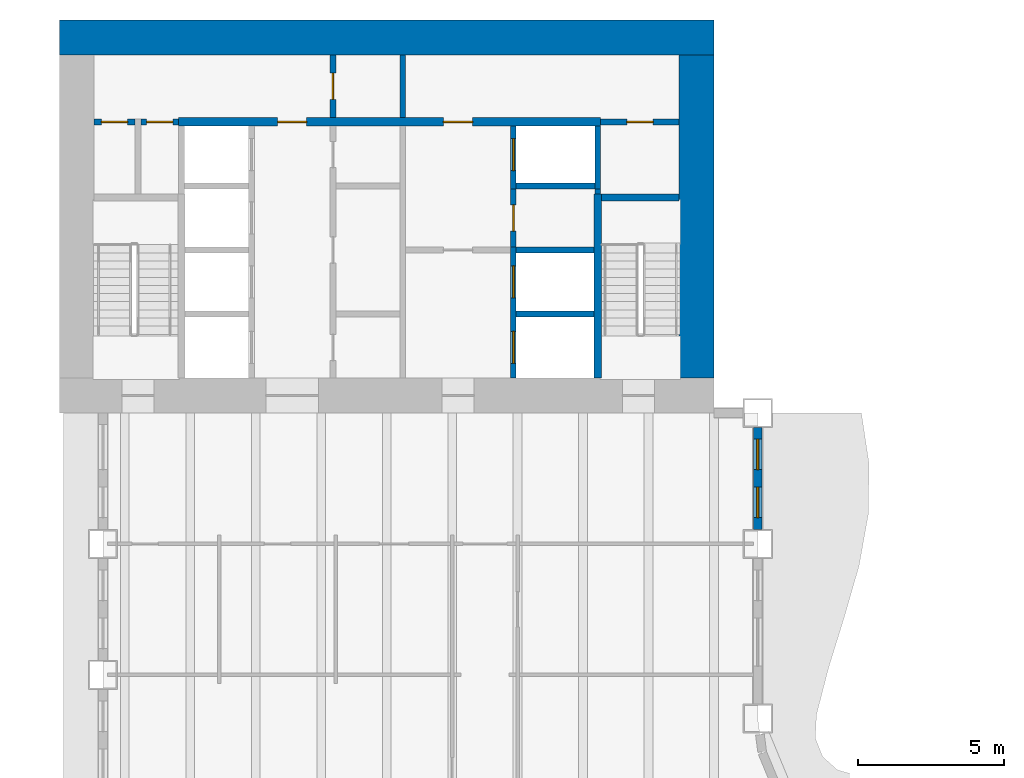
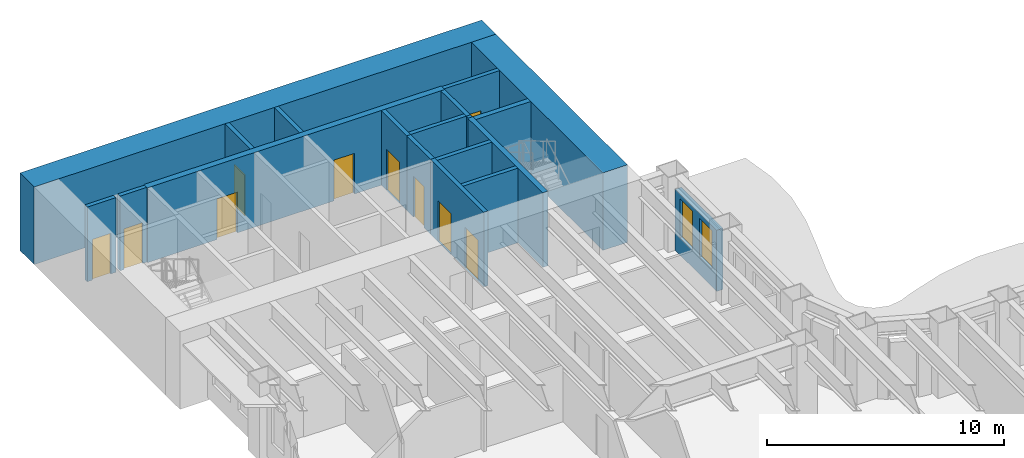
# One storey, part 9 of 16: 19 walls, 10 doors, 2 windows, 12 openings.
"""IFC4 building model written with IfcOpenShell, lengths in metres."""

from ifc_helpers import new_model, si_unit, direction, frame, frame_2d, origin, place, context, subcontext, project, spatial, rectangle, extrude, material, layer, layer_set, type_object, element, fill, save


model = new_model("IFC4")

# Units and contexts
model_context = context("Model", 3, precision=1e-05, world=origin(), true_north=direction((0.0, 1.0)))
body_context = subcontext(model_context, "Body", "Model", "MODEL_VIEW")
ifc_project = project(units=[si_unit("LENGTHUNIT", "METRE"), si_unit("AREAUNIT", "SQUARE_METRE"), si_unit("VOLUMEUNIT", "CUBIC_METRE"), si_unit("PLANEANGLEUNIT", "RADIAN"), si_unit("MASSUNIT", "GRAM", prefix="KILO")], contexts=[model_context])

# Site, building, storey
site_placement = place(None, origin())
site = spatial("IfcSite", under=ifc_project, at=site_placement, CompositionType="ELEMENT")
building_placement = place(site_placement, origin())
building = spatial("IfcBuilding", under=site, at=building_placement, Name="Sennacour Bend Tower", CompositionType="ELEMENT")
storey_placement = place(building_placement, frame((0.0, 0.0, 95.0)))
storey = spatial("IfcBuildingStorey", under=building, at=storey_placement, Name="L21", CompositionType="ELEMENT", Elevation=95.0)

# Walls
ifc_material_1 = material(Name="Concrete C80/95", Category="concrete")
ifc_layer_1 = layer(ifc_material_1, 1.199951171875, Name="Concrete C80/95", Category="concrete")
ifc_layer_set_1 = layer_set([ifc_layer_1], Name="Concrete C80/95")
wall_type_1 = type_object("IfcWallType", Name="Core wall 1200 C80/95", PredefinedType="SHEAR", material=ifc_layer_set_1)
wall_1_placement = place(storey_placement, frame((0.0, 48.89990234375, -0.14990234375), z_axis=(0.0, 0.0, 1.0), x_axis=(1.0, 0.0, 0.0)))
element("IfcWall", 1, at=wall_1_placement, inside=storey, type_object=wall_type_1, Name="Core B wall L21 N", PredefinedType="SHEAR", context=body_context, shape_type="SweptSolid", body=[
    extrude(rectangle(XDim=22.5, YDim=1.199951171875, at=frame_2d((11.25, 0.0))), origin(), (0.0, 0.0, 1.0), 4.0),
])
wall_2_placement = place(storey_placement, frame((21.89990234375, 37.199951171875, -0.14990234375), z_axis=(0.0, 0.0, 1.0), x_axis=(0.0, 1.0, 0.0)))
element("IfcWall", 2, at=wall_2_placement, inside=storey, type_object=wall_type_1, Name="Core B wall L21 E", PredefinedType="SHEAR", context=body_context, shape_type="SweptSolid", body=[
    extrude(rectangle(XDim=11.10009765625, YDim=1.199951171875, at=frame_2d((5.550048828125, 0.0))), origin(), (0.0, 0.0, 1.0), 4.0),
])

# Wall, opening, door
ifc_material_2 = material(Name="Fire-rated plasterboard partition on steel studs", Category="steel")
ifc_layer_2 = layer(ifc_material_2, 0.199951171875, Name="Fire-rated plasterboard partition on steel studs", Category="steel")
ifc_layer_set_2 = layer_set([ifc_layer_2], Name="Fire-rated plasterboard partition on steel studs")
wall_type_2 = type_object("IfcWallType", Name="Rated partition 200", PredefinedType="PARTITIONING", material=ifc_layer_set_2)
wall_3_placement = place(storey_placement, frame((9.39990234375, 46.14990234375, 0.0), z_axis=(0.0, 0.0, 1.0), x_axis=(0.0, 1.0, 0.0)))
wall_3 = element("IfcWall", 3, at=wall_3_placement, inside=storey, type_object=wall_type_2, Name="P-L21-W010b", PredefinedType="PARTITIONING", context=body_context, shape_type="SweptSolid", body=[
    extrude(rectangle(XDim=2.150146484375, YDim=0.199951171875, at=frame_2d((1.0751953125, 0.0))), origin(), (0.0, 0.0, 1.0), 3.85009765625),
])
opening_1_placement = place(wall_3_placement, frame((0.625, 0.0, 0.0)))
opening_1 = element("IfcOpeningElement", 4, at=opening_1_placement, cuts=wall_3, Name="Opening SV", PredefinedType="OPENING", context=body_context, shape_type="SweptSolid", body=[
    extrude(rectangle(XDim=0.89990234375, YDim=2.10009765625, at=frame_2d((0.449951171875, 1.050048828125))), frame((0.0, 0.10986328125, 0.0), z_axis=(0.0, -1.0, 0.0), x_axis=(1.0, 0.0, 0.0)), (0.0, 0.0, 1.0), 0.219970703125),
])
ifc_material_3 = material(Name="Painted steel", Category="steel")
door_type_1 = type_object("IfcDoorType", Name="DR-SERVICE-900", OperationType="NOTDEFINED", PredefinedType="DOOR", material=ifc_material_3)
door_1_placement = place(opening_1_placement, origin())
door_1 = element("IfcDoor", 5, at=door_1_placement, inside=storey, type_object=door_type_1, Name="Door", OperationType="SINGLE_SWING_LEFT", OverallHeight=2.10009765625, OverallWidth=0.89990234375, PredefinedType="DOOR", context=body_context, shape_type="SweptSolid", body=[
    extrude(rectangle(XDim=0.89990234375, YDim=2.10009765625, at=frame_2d((0.449951171875, 1.050048828125))), frame((0.0, 0.02490234375, 0.0), z_axis=(0.0, -1.0, 0.0), x_axis=(1.0, 0.0, 0.0)), (0.0, 0.0, 1.0), 0.050048828125),
])
fill(opening_1, door_1)

# Wall
wall_4_placement = place(storey_placement, frame((11.800048828125, 46.14990234375, 0.0), z_axis=(0.0, 0.0, 1.0), x_axis=(0.0, 1.0, 0.0)))
element("IfcWall", 6, at=wall_4_placement, inside=storey, type_object=wall_type_2, Name="P-L21-W013b", PredefinedType="PARTITIONING", context=body_context, shape_type="SweptSolid", body=[
    extrude(rectangle(XDim=2.150146484375, YDim=0.199951171875, at=frame_2d((1.0751953125, 0.0))), origin(), (0.0, 0.0, 1.0), 3.85009765625),
])

# Wall, opening, door
wall_5_placement = place(storey_placement, frame((15.60009765625, 41.699951171875, 0.0), z_axis=(0.0, 0.0, 1.0), x_axis=(0.0, 1.0, 0.0)))
wall_5 = element("IfcWall", 7, at=wall_5_placement, inside=storey, type_object=wall_type_2, Name="P-L21-W016", PredefinedType="PARTITIONING", context=body_context, shape_type="SweptSolid", body=[
    extrude(rectangle(XDim=2.0, YDim=0.199951171875, at=frame_2d((1.0, 0.0))), origin(), (0.0, 0.0, 1.0), 3.85009765625),
])
opening_2_placement = place(wall_5_placement, frame((0.550048828125, 0.0, 0.0)))
opening_2 = element("IfcOpeningElement", 8, at=opening_2_placement, cuts=wall_5, Name="Opening SV", PredefinedType="OPENING", context=body_context, shape_type="SweptSolid", body=[
    extrude(rectangle(XDim=0.89990234375, YDim=2.10009765625, at=frame_2d((0.449951171875, 1.050048828125))), frame((0.0, 0.10986328125, 0.0), z_axis=(0.0, -1.0, 0.0), x_axis=(1.0, 0.0, 0.0)), (0.0, 0.0, 1.0), 0.219970703125),
])
door_2_placement = place(opening_2_placement, origin())
door_2 = element("IfcDoor", 9, at=door_2_placement, inside=storey, type_object=door_type_1, Name="Door", OperationType="SINGLE_SWING_RIGHT", OverallHeight=2.10009765625, OverallWidth=0.89990234375, PredefinedType="DOOR", context=body_context, shape_type="SweptSolid", body=[
    extrude(rectangle(XDim=0.89990234375, YDim=2.10009765625, at=frame_2d((0.449951171875, 1.050048828125))), frame((0.0, 0.02490234375, 0.0), z_axis=(0.0, -1.0, 0.0), x_axis=(1.0, 0.0, 0.0)), (0.0, 0.0, 1.0), 0.050048828125),
])
fill(opening_2, door_2)

# Wall
wall_6_placement = place(storey_placement, frame((18.5, 43.52490234375, 0.0), z_axis=(0.0, 0.0, 1.0), x_axis=(0.0, 1.0, 0.0)))
element("IfcWall", 10, at=wall_6_placement, inside=storey, type_object=wall_type_2, Name="P-L21-W021", PredefinedType="PARTITIONING", context=body_context, shape_type="SweptSolid", body=[
    extrude(rectangle(XDim=0.175048828125, YDim=0.199951171875, at=frame_2d((0.08740234375, 0.0))), origin(), (0.0, 0.0, 1.0), 3.85009765625),
])

# Wall, opening, door
wall_7_placement = place(storey_placement, frame((1.199951171875, 46.0, 0.0), z_axis=(0.0, 0.0, 1.0), x_axis=(1.0, 0.0, 0.0)))
wall_7 = element("IfcWall", 11, at=wall_7_placement, inside=storey, type_object=wall_type_2, Name="P-L21-W089a", PredefinedType="PARTITIONING", context=body_context, shape_type="SweptSolid", body=[
    extrude(rectangle(XDim=1.400146484375, YDim=0.199951171875, at=frame_2d((0.7001953125, 0.0))), origin(), (0.0, 0.0, 1.0), 3.85009765625),
])
opening_3_placement = place(wall_7_placement, frame((0.25, 0.0, 0.0)))
opening_3 = element("IfcOpeningElement", 12, at=opening_3_placement, cuts=wall_7, Name="Opening SV", PredefinedType="OPENING", context=body_context, shape_type="SweptSolid", body=[
    extrude(rectangle(XDim=0.89990234375, YDim=2.10009765625, at=frame_2d((0.449951171875, 1.050048828125))), frame((0.0, 0.10986328125, 0.0), z_axis=(0.0, -1.0, 0.0), x_axis=(1.0, 0.0, 0.0)), (0.0, 0.0, 1.0), 0.219970703125),
])
door_3_placement = place(opening_3_placement, origin())
door_3 = element("IfcDoor", 13, at=door_3_placement, inside=storey, type_object=door_type_1, Name="Door", OperationType="SINGLE_SWING_LEFT", OverallHeight=2.10009765625, OverallWidth=0.89990234375, PredefinedType="DOOR", context=body_context, shape_type="SweptSolid", body=[
    extrude(rectangle(XDim=0.89990234375, YDim=2.10009765625, at=frame_2d((0.449951171875, 1.050048828125))), frame((0.0, 0.02490234375, 0.0), z_axis=(0.0, -1.0, 0.0), x_axis=(1.0, 0.0, 0.0)), (0.0, 0.0, 1.0), 0.050048828125),
])
fill(opening_3, door_3)

wall_8_placement = place(storey_placement, frame((2.800048828125, 46.0, 0.0), z_axis=(0.0, 0.0, 1.0), x_axis=(1.0, 0.0, 0.0)))
wall_8 = element("IfcWall", 14, at=wall_8_placement, inside=storey, type_object=wall_type_2, Name="P-L21-W089b", PredefinedType="PARTITIONING", context=body_context, shape_type="SweptSolid", body=[
    extrude(rectangle(XDim=1.300048828125, YDim=0.199951171875, at=frame_2d((0.64990234375, 0.0))), origin(), (0.0, 0.0, 1.0), 3.85009765625),
])
opening_4_placement = place(wall_8_placement, frame((0.199951171875, 0.0, 0.0)))
opening_4 = element("IfcOpeningElement", 15, at=opening_4_placement, cuts=wall_8, Name="Opening SV", PredefinedType="OPENING", context=body_context, shape_type="SweptSolid", body=[
    extrude(rectangle(XDim=0.89990234375, YDim=2.10009765625, at=frame_2d((0.449951171875, 1.050048828125))), frame((0.0, 0.10986328125, 0.0), z_axis=(0.0, -1.0, 0.0), x_axis=(1.0, 0.0, 0.0)), (0.0, 0.0, 1.0), 0.219970703125),
])
door_4_placement = place(opening_4_placement, origin())
door_4 = element("IfcDoor", 16, at=door_4_placement, inside=storey, type_object=door_type_1, Name="Door", OperationType="SINGLE_SWING_LEFT", OverallHeight=2.10009765625, OverallWidth=0.89990234375, PredefinedType="DOOR", context=body_context, shape_type="SweptSolid", body=[
    extrude(rectangle(XDim=0.89990234375, YDim=2.10009765625, at=frame_2d((0.449951171875, 1.050048828125))), frame((0.0, 0.02490234375, 0.0), z_axis=(0.0, -1.0, 0.0), x_axis=(1.0, 0.0, 0.0)), (0.0, 0.0, 1.0), 0.050048828125),
])
fill(opening_4, door_4)

wall_9_placement = place(storey_placement, frame((18.60009765625, 46.0, 0.0), z_axis=(0.0, 0.0, 1.0), x_axis=(1.0, 0.0, 0.0)))
wall_9 = element("IfcWall", 17, at=wall_9_placement, inside=storey, type_object=wall_type_2, Name="P-L21-W091", PredefinedType="PARTITIONING", context=body_context, shape_type="SweptSolid", body=[
    extrude(rectangle(XDim=2.699951171875, YDim=0.199951171875, at=frame_2d((1.35009765625, 0.0))), origin(), (0.0, 0.0, 1.0), 3.85009765625),
])
opening_5_placement = place(wall_9_placement, frame((0.89990234375, 0.0, 0.0)))
opening_5 = element("IfcOpeningElement", 18, at=opening_5_placement, cuts=wall_9, Name="Opening WD", PredefinedType="OPENING", context=body_context, shape_type="SweptSolid", body=[
    extrude(rectangle(XDim=0.89990234375, YDim=2.10009765625, at=frame_2d((0.449951171875, 1.050048828125))), frame((0.0, 0.10986328125, 0.0), z_axis=(0.0, -1.0, 0.0), x_axis=(1.0, 0.0, 0.0)), (0.0, 0.0, 1.0), 0.219970703125),
])
ifc_material_4 = material(Name="Timber", Category="wood")
door_type_2 = type_object("IfcDoorType", Name="DR-WC-900", OperationType="NOTDEFINED", PredefinedType="DOOR", material=ifc_material_4)
door_5_placement = place(opening_5_placement, origin())
door_5 = element("IfcDoor", 19, at=door_5_placement, inside=storey, type_object=door_type_2, Name="Door", OperationType="SINGLE_SWING_LEFT", OverallHeight=2.10009765625, OverallWidth=0.89990234375, PredefinedType="DOOR", context=body_context, shape_type="SweptSolid", body=[
    extrude(rectangle(XDim=0.89990234375, YDim=2.10009765625, at=frame_2d((0.449951171875, 1.050048828125))), frame((0.0, 0.02490234375, 0.0), z_axis=(0.0, -1.0, 0.0), x_axis=(1.0, 0.0, 0.0)), (0.0, 0.0, 1.0), 0.050048828125),
])
fill(opening_5, door_5)

# Wall, openings, windows
ifc_material_5 = material(Name="Warm limestone cladding", Category="masonry")
ifc_layer_3 = layer(ifc_material_5, 0.050048828125, Name="Warm limestone cladding", Category="masonry")
ifc_material_6 = material(Name="Precast concrete C40/50", Category="concrete")
ifc_layer_4 = layer(ifc_material_6, 0.25, Name="Precast concrete C40/50", Category="concrete")
ifc_layer_set_3 = layer_set([ifc_layer_3, ifc_layer_4], Name="Precast concrete C40/50 with limestone cladding")
wall_type_3 = type_object("IfcWallType", Name="STONE-CLAD PRECAST SPANDREL 300", PredefinedType="STANDARD", material=ifc_layer_set_3)
wall_10_placement = place(storey_placement, frame((24.0, 32.0, 0.0), z_axis=(0.0, 0.0, 1.0), x_axis=(0.0, 1.0, 0.0)))
wall_10 = element("IfcWall", 20, at=wall_10_placement, inside=storey, type_object=wall_type_3, Name="Stone spandrel and pier wall L21 13.01", PredefinedType="STANDARD", context=body_context, shape_type="SweptSolid", body=[
    extrude(rectangle(XDim=3.5, YDim=0.300048828125, at=frame_2d((1.75, 0.0))), origin(), (0.0, 0.0, 1.0), 3.154052734375),
])
opening_6_placement = place(wall_10_placement, frame((0.39990234375, 0.0, 0.89990234375)))
opening_6 = element("IfcOpeningElement", 21, at=opening_6_placement, cuts=wall_10, Name="Opening W13", PredefinedType="OPENING", context=body_context, shape_type="SweptSolid", body=[
    extrude(rectangle(XDim=1.050048828125, YDim=2.0, at=frame_2d((0.52490234375, 1.0))), frame((0.0, 0.16015625, 0.0), z_axis=(0.0, -1.0, 0.0), x_axis=(1.0, 0.0, 0.0)), (0.0, 0.0, 1.0), 0.320068359375),
])
opening_7_placement = place(wall_10_placement, frame((2.050048828125, 0.0, 0.89990234375)))
opening_7 = element("IfcOpeningElement", 22, at=opening_7_placement, cuts=wall_10, Name="Opening W13", PredefinedType="OPENING", context=body_context, shape_type="SweptSolid", body=[
    extrude(rectangle(XDim=1.050048828125, YDim=2.0, at=frame_2d((0.52490234375, 1.0))), frame((0.0, 0.16015625, 0.0), z_axis=(0.0, -1.0, 0.0), x_axis=(1.0, 0.0, 0.0)), (0.0, 0.0, 1.0), 0.320068359375),
])
ifc_material_7 = material(Name="Clear low-emissivity glass", Category="glass")
window_type = type_object("IfcWindowType", Name="WIN-RIBBON-1050x2000", PartitioningType="SINGLE_PANEL", PredefinedType="WINDOW", material=ifc_material_7)
window_1_placement = place(opening_6_placement, origin())
window_1 = element("IfcWindow", 23, at=window_1_placement, inside=storey, type_object=window_type, Name="Ribbon window L21 13.01.0", OverallHeight=2.0, OverallWidth=1.050048828125, PartitioningType="SINGLE_PANEL", PredefinedType="WINDOW", context=body_context, shape_type="SweptSolid", body=[
    extrude(rectangle(XDim=1.050048828125, YDim=2.0, at=frame_2d((0.52490234375, 1.0))), frame((0.0, 0.030029296875, 0.0), z_axis=(0.0, -1.0, 0.0), x_axis=(1.0, 0.0, 0.0)), (0.0, 0.0, 1.0), 0.06005859375),
])
fill(opening_6, window_1)
window_2_placement = place(opening_7_placement, origin())
window_2 = element("IfcWindow", 24, at=window_2_placement, inside=storey, type_object=window_type, Name="Ribbon window L21 13.01.1", OverallHeight=2.0, OverallWidth=1.050048828125, PartitioningType="SINGLE_PANEL", PredefinedType="WINDOW", context=body_context, shape_type="SweptSolid", body=[
    extrude(rectangle(XDim=1.050048828125, YDim=2.0, at=frame_2d((0.52490234375, 1.0))), frame((0.0, 0.030029296875, 0.0), z_axis=(0.0, -1.0, 0.0), x_axis=(1.0, 0.0, 0.0)), (0.0, 0.0, 1.0), 0.06005859375),
])
fill(opening_7, window_2)

# Wall, openings, doors
ifc_material_8 = material(Name="Concrete C50/60", Category="concrete")
ifc_layer_5 = layer(ifc_material_8, 0.199951171875, Name="Concrete C50/60", Category="concrete")
ifc_layer_set_4 = layer_set([ifc_layer_5], Name="Concrete C50/60")
wall_type_4 = type_object("IfcWallType", Name="Shaft wall 200", PredefinedType="SOLIDWALL", material=ifc_layer_set_4)
wall_11_placement = place(storey_placement, frame((15.60009765625, 37.199951171875, 0.0), z_axis=(0.0, 0.0, 1.0), x_axis=(0.0, 1.0, 0.0)))
wall_11 = element("IfcWall", 25, at=wall_11_placement, inside=storey, type_object=wall_type_4, Name="P-L21-W015", PredefinedType="SOLIDWALL", context=body_context, shape_type="SweptSolid", body=[
    extrude(rectangle(XDim=4.5, YDim=0.199951171875, at=frame_2d((2.25, 0.0))), origin(), (0.0, 0.0, 1.0), 3.85009765625),
])
opening_8_placement = place(wall_11_placement, frame((0.5, 0.0, 0.011962890625)))
opening_8 = element("IfcOpeningElement", 26, at=opening_8_placement, cuts=wall_11, Name="Opening FLD", PredefinedType="OPENING", context=body_context, shape_type="SweptSolid", body=[
    extrude(rectangle(XDim=1.10009765625, YDim=2.10009765625, at=frame_2d((0.550048828125, 1.050048828125))), frame((0.0, 0.10986328125, 0.0), z_axis=(0.0, -1.0, 0.0), x_axis=(1.0, 0.0, 0.0)), (0.0, 0.0, 1.0), 0.219970703125),
])
opening_9_placement = place(wall_11_placement, frame((2.75, 0.0, 0.011962890625)))
opening_9 = element("IfcOpeningElement", 27, at=opening_9_placement, cuts=wall_11, Name="Opening FLD", PredefinedType="OPENING", context=body_context, shape_type="SweptSolid", body=[
    extrude(rectangle(XDim=1.10009765625, YDim=2.10009765625, at=frame_2d((0.550048828125, 1.050048828125))), frame((0.0, 0.10986328125, 0.0), z_axis=(0.0, -1.0, 0.0), x_axis=(1.0, 0.0, 0.0)), (0.0, 0.0, 1.0), 0.219970703125),
])
ifc_material_9 = material(Name="Stainless steel", Category="steel")
door_type_3 = type_object("IfcDoorType", Name="DR-FF-LANDING-1100", OperationType="NOTDEFINED", PredefinedType="DOOR", material=ifc_material_9)
door_6_placement = place(opening_8_placement, origin())
door_6 = element("IfcDoor", 28, at=door_6_placement, inside=storey, type_object=door_type_3, Name="Fire service lift landing door FB1", OperationType="SLIDING_TO_LEFT", OverallHeight=2.10009765625, OverallWidth=1.10009765625, PredefinedType="DOOR", context=body_context, shape_type="SweptSolid", body=[
    extrude(rectangle(XDim=1.10009765625, YDim=2.10009765625, at=frame_2d((0.550048828125, 1.050048828125))), frame((0.0, 0.02490234375, 0.0), z_axis=(0.0, -1.0, 0.0), x_axis=(1.0, 0.0, 0.0)), (0.0, 0.0, 1.0), 0.050048828125),
])
fill(opening_8, door_6)
door_7_placement = place(opening_9_placement, origin())
door_7 = element("IfcDoor", 29, at=door_7_placement, inside=storey, type_object=door_type_3, Name="Fire service lift landing door FB2", OperationType="SLIDING_TO_RIGHT", OverallHeight=2.10009765625, OverallWidth=1.10009765625, PredefinedType="DOOR", context=body_context, shape_type="SweptSolid", body=[
    extrude(rectangle(XDim=1.10009765625, YDim=2.10009765625, at=frame_2d((0.550048828125, 1.050048828125))), frame((0.0, 0.02490234375, 0.0), z_axis=(0.0, -1.0, 0.0), x_axis=(1.0, 0.0, 0.0)), (0.0, 0.0, 1.0), 0.050048828125),
])
fill(opening_9, door_7)

# Wall, opening, door
wall_12_placement = place(storey_placement, frame((15.60009765625, 43.699951171875, 0.0), z_axis=(0.0, 0.0, 1.0), x_axis=(0.0, 1.0, 0.0)))
wall_12 = element("IfcWall", 30, at=wall_12_placement, inside=storey, type_object=wall_type_4, Name="P-L21-W017", PredefinedType="SOLIDWALL", context=body_context, shape_type="SweptSolid", body=[
    extrude(rectangle(XDim=2.150146484375, YDim=0.199951171875, at=frame_2d((1.0751953125, 0.0))), origin(), (0.0, 0.0, 1.0), 3.85009765625),
])
opening_10_placement = place(wall_12_placement, frame((0.625, 0.0, 0.011962890625)))
opening_10 = element("IfcOpeningElement", 31, at=opening_10_placement, cuts=wall_12, Name="Opening LD", PredefinedType="OPENING", context=body_context, shape_type="SweptSolid", body=[
    extrude(rectangle(XDim=1.10009765625, YDim=2.10009765625, at=frame_2d((0.550048828125, 1.050048828125))), frame((0.0, 0.10986328125, 0.0), z_axis=(0.0, -1.0, 0.0), x_axis=(1.0, 0.0, 0.0)), (0.0, 0.0, 1.0), 0.219970703125),
])
door_type_4 = type_object("IfcDoorType", Name="DR-LANDING-1100", OperationType="NOTDEFINED", PredefinedType="DOOR", material=ifc_material_9)
door_8_placement = place(opening_10_placement, origin())
door_8 = element("IfcDoor", 32, at=door_8_placement, inside=storey, type_object=door_type_4, Name="Lift landing door LB5", OperationType="SLIDING_TO_LEFT", OverallHeight=2.10009765625, OverallWidth=1.10009765625, PredefinedType="DOOR", context=body_context, shape_type="SweptSolid", body=[
    extrude(rectangle(XDim=1.10009765625, YDim=2.10009765625, at=frame_2d((0.550048828125, 1.050048828125))), frame((0.0, 0.02490234375, 0.0), z_axis=(0.0, -1.0, 0.0), x_axis=(1.0, 0.0, 0.0)), (0.0, 0.0, 1.0), 0.050048828125),
])
fill(opening_10, door_8)

# Walls
wall_13_placement = place(storey_placement, frame((18.5, 43.699951171875, 0.0), z_axis=(0.0, 0.0, 1.0), x_axis=(0.0, 1.0, 0.0)))
element("IfcWall", 33, at=wall_13_placement, inside=storey, type_object=wall_type_4, Name="P-L21-W022", PredefinedType="SOLIDWALL", context=body_context, shape_type="SweptSolid", body=[
    extrude(rectangle(XDim=2.150146484375, YDim=0.199951171875, at=frame_2d((1.0751953125, 0.0))), origin(), (0.0, 0.0, 1.0), 3.85009765625),
])
for number, where, z_axis, x_axis, name in (
    (34, (15.699951171875, 39.39990234375, 0.0), (0.0, 0.0, 1.0), (1.0, 0.0, 0.0), "P-L21-W080"),
    (35, (15.699951171875, 41.60009765625, 0.0), (0.0, 0.0, 1.0), (1.0, 0.0, 0.0), "P-L21-W083"),
):
    element("IfcWall", number, at=place(storey_placement, frame(where, z_axis=z_axis, x_axis=x_axis)), inside=storey, type_object=wall_type_4, Name=name, PredefinedType="SOLIDWALL", context=body_context, shape_type="SweptSolid", body=[
        extrude(rectangle(XDim=2.675048828125, YDim=0.199951171875, at=frame_2d((1.33740234375, 0.0))), origin(), (0.0, 0.0, 1.0), 3.85009765625),
    ])
wall_14_placement = place(storey_placement, frame((15.699951171875, 43.800048828125, 0.0), z_axis=(0.0, 0.0, 1.0), x_axis=(1.0, 0.0, 0.0)))
element("IfcWall", 36, at=wall_14_placement, inside=storey, type_object=wall_type_4, Name="P-L21-W088", PredefinedType="SOLIDWALL", context=body_context, shape_type="SweptSolid", body=[
    extrude(rectangle(XDim=2.699951171875, YDim=0.199951171875, at=frame_2d((1.35009765625, 0.0))), origin(), (0.0, 0.0, 1.0), 3.85009765625),
])

# Wall, openings, doors
ifc_material_10 = material(Name="Concrete C60/75", Category="concrete")
ifc_layer_6 = layer(ifc_material_10, 0.300048828125, Name="Concrete C60/75", Category="concrete")
ifc_layer_set_5 = layer_set([ifc_layer_6], Name="Concrete C60/75")
wall_type_5 = type_object("IfcWallType", Name="Spine wall 300", PredefinedType="SHEAR", material=ifc_layer_set_5)
wall_15_placement = place(storey_placement, frame((4.10009765625, 46.0, 0.0), z_axis=(0.0, 0.0, 1.0), x_axis=(1.0, 0.0, 0.0)))
wall_15 = element("IfcWall", 37, at=wall_15_placement, inside=storey, type_object=wall_type_5, Name="P-L21-W090", PredefinedType="SHEAR", context=body_context, shape_type="SweptSolid", body=[
    extrude(rectangle(XDim=14.5, YDim=0.300048828125, at=frame_2d((7.25, 0.0))), origin(), (0.0, 0.0, 1.0), 3.85009765625),
])
opening_11_placement = place(wall_15_placement, frame((3.39990234375, 0.0, 0.0)))
opening_11 = element("IfcOpeningElement", 38, at=opening_11_placement, cuts=wall_15, Name="Opening CD2", PredefinedType="OPENING", context=body_context, shape_type="SweptSolid", body=[
    extrude(rectangle(XDim=1.0, YDim=2.10009765625, at=frame_2d((0.5, 1.050048828125))), frame((0.0, 0.16015625, 0.0), z_axis=(0.0, -1.0, 0.0), x_axis=(1.0, 0.0, 0.0)), (0.0, 0.0, 1.0), 0.320068359375),
])
opening_12_placement = place(wall_15_placement, frame((9.099853515625, 0.0, 0.0)))
opening_12 = element("IfcOpeningElement", 39, at=opening_12_placement, cuts=wall_15, Name="Opening CD2", PredefinedType="OPENING", context=body_context, shape_type="SweptSolid", body=[
    extrude(rectangle(XDim=1.0, YDim=2.10009765625, at=frame_2d((0.5, 1.050048828125))), frame((0.0, 0.16015625, 0.0), z_axis=(0.0, -1.0, 0.0), x_axis=(1.0, 0.0, 0.0)), (0.0, 0.0, 1.0), 0.320068359375),
])
door_type_5 = type_object("IfcDoorType", Name="DR-LOBBY-1000", OperationType="NOTDEFINED", PredefinedType="DOOR", material=ifc_material_3)
door_9_placement = place(opening_11_placement, origin())
door_9 = element("IfcDoor", 40, at=door_9_placement, inside=storey, type_object=door_type_5, Name="Door", OperationType="SINGLE_SWING_LEFT", OverallHeight=2.10009765625, OverallWidth=1.0, PredefinedType="DOOR", context=body_context, shape_type="SweptSolid", body=[
    extrude(rectangle(XDim=1.0, YDim=2.10009765625, at=frame_2d((0.5, 1.050048828125))), frame((0.0, 0.02490234375, 0.0), z_axis=(0.0, -1.0, 0.0), x_axis=(1.0, 0.0, 0.0)), (0.0, 0.0, 1.0), 0.050048828125),
])
fill(opening_11, door_9)
door_10_placement = place(opening_12_placement, origin())
door_10 = element("IfcDoor", 41, at=door_10_placement, inside=storey, type_object=door_type_5, Name="Door", OperationType="SINGLE_SWING_RIGHT", OverallHeight=2.10009765625, OverallWidth=1.0, PredefinedType="DOOR", context=body_context, shape_type="SweptSolid", body=[
    extrude(rectangle(XDim=1.0, YDim=2.10009765625, at=frame_2d((0.5, 1.050048828125))), frame((0.0, 0.02490234375, 0.0), z_axis=(0.0, -1.0, 0.0), x_axis=(1.0, 0.0, 0.0)), (0.0, 0.0, 1.0), 0.050048828125),
])
fill(opening_12, door_10)

# Walls
ifc_layer_7 = layer(ifc_material_10, 0.25, Name="Concrete C60/75", Category="concrete")
ifc_layer_set_6 = layer_set([ifc_layer_7], Name="Concrete C60/75")
wall_type_6 = type_object("IfcWallType", Name="Stair wall 250", PredefinedType="SHEAR", material=ifc_layer_set_6)
wall_16_placement = place(storey_placement, frame((18.5, 37.199951171875, 0.0), z_axis=(0.0, 0.0, 1.0), x_axis=(0.0, 1.0, 0.0)))
element("IfcWall", 42, at=wall_16_placement, inside=storey, type_object=wall_type_6, Name="P-L21-W020", PredefinedType="SHEAR", context=body_context, shape_type="SweptSolid", body=[
    extrude(rectangle(XDim=6.324951171875, YDim=0.25, at=frame_2d((3.16259765625, 0.0))), origin(), (0.0, 0.0, 1.0), 3.85009765625),
])
wall_17_placement = place(storey_placement, frame((18.625, 43.39990234375, 0.0), z_axis=(0.0, 0.0, 1.0), x_axis=(1.0, 0.0, 0.0)))
element("IfcWall", 43, at=wall_17_placement, inside=storey, type_object=wall_type_6, Name="P-L21-W085", PredefinedType="SHEAR", context=body_context, shape_type="SweptSolid", body=[
    extrude(rectangle(XDim=2.675048828125, YDim=0.25, at=frame_2d((1.33740234375, 0.0))), origin(), (0.0, 0.0, 1.0), 3.85009765625),
])

save(model, "model.ifc")
